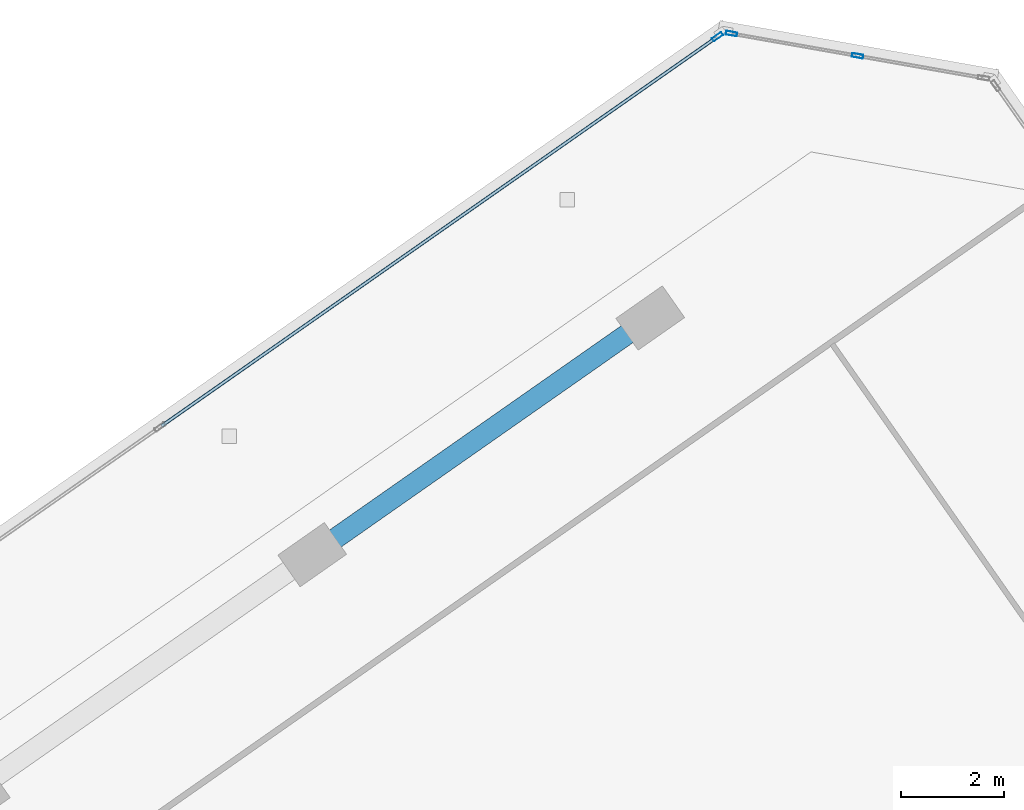
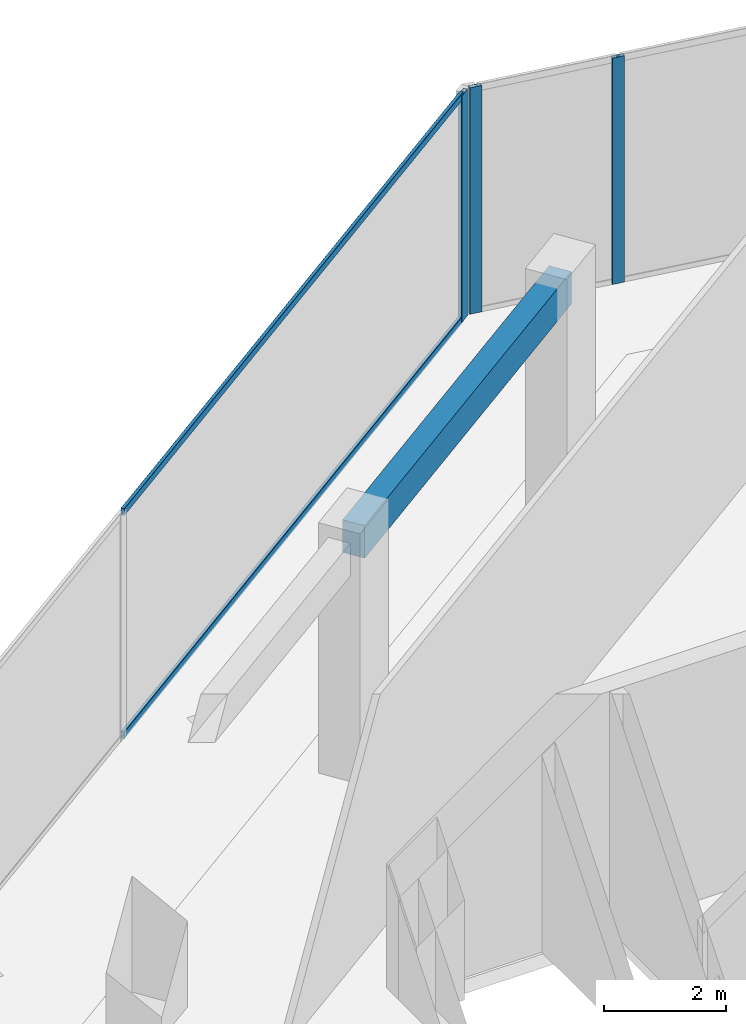
# One storey, part 8 of 16: 5 members, 1 beam, 2 elements without a shape of their own.
"""IFC4 building model written with IfcOpenShell, lengths in metres."""

import ifcopenshell
import ifcopenshell.guid

model = None  # the IFC model being written
_history = None  # IfcOwnerHistory: only IFC2X3 demands one
_inside = {}  # id of a spatial element -> (the spatial element, [elements in it])
_under = {}  # id of a project, library or spatial element -> (it, [spatial elements below it])
_declared = {}  # id of a project -> (the project, [libraries it declares])
_typed = {}  # id of a type object -> (the type object, [elements of that type])
_made_of = {}  # id of a material, layer set ... -> (it, [elements and type objects made of it])


def new_model(schema):
    """Start an empty IFC model of exactly this schema.

    Asked for "IFC4X3", IfcOpenShell would pick the latest addendum, in which some entities
    have other attributes; the version numbers below select the first issue.
    IFC2X3 requires an IfcOwnerHistory on every rooted entity: one is made here for all.
    """
    global model, _history
    if schema == "IFC4X3":
        model = ifcopenshell.file(schema_version=(4, 3, 0, 0))
    else:
        model = ifcopenshell.file(schema=schema)
    _inside.clear()
    _under.clear()
    _declared.clear()
    _typed.clear()
    _made_of.clear()
    _history = None
    if model.schema == "IFC2X3":
        org = make("IfcOrganization", Name="unknown")
        user = make(
            "IfcPersonAndOrganization",
            ThePerson=make("IfcPerson", FamilyName="unknown"),
            TheOrganization=org,
        )
        app = make(
            "IfcApplication",
            ApplicationDeveloper=org,
            Version="unknown",
            ApplicationFullName="unknown",
            ApplicationIdentifier="unknown",
        )
        _history = make(
            "IfcOwnerHistory",
            OwningUser=user,
            OwningApplication=app,
            ChangeAction="ADDED",
            CreationDate=0,
        )
    return model


def make(cls, **values):
    """One entity of the class cls with the attributes given. An attribute that is None is left unset."""
    return model.create_entity(
        cls, **{name: value for name, value in values.items() if value is not None}
    )


def rooted(cls, **values):
    """An entity with a GlobalId (a new one), such as an element, a storey or a relation."""
    return make(cls, GlobalId=ifcopenshell.guid.new(), OwnerHistory=_history, **values)


def si_unit(unit_type, name, prefix=None):
    """IfcSIUnit, for example si_unit("LENGTHUNIT", "METRE", prefix="MILLI")."""
    return make("IfcSIUnit", UnitType=unit_type, Prefix=prefix, Name=name)


def assignment(units):
    """IfcUnitAssignment: the units of a project."""
    return None if units is None else make("IfcUnitAssignment", Units=units)


def point(xyz):
    """IfcCartesianPoint."""
    return None if xyz is None else make("IfcCartesianPoint", Coordinates=xyz)


def direction(xyz):
    """IfcDirection."""
    return None if xyz is None else make("IfcDirection", DirectionRatios=xyz)


def frame(location, z_axis=None, x_axis=None):
    """IfcAxis2Placement3D, a coordinate frame: its origin and axes. An axis left out is left unset."""
    return make(
        "IfcAxis2Placement3D",
        Location=point(location),
        Axis=direction(z_axis),
        RefDirection=direction(x_axis),
    )


def frame_2d(location, x_axis=None):
    """IfcAxis2Placement2D, a coordinate frame in the plane: its origin and x axis."""
    return make(
        "IfcAxis2Placement2D", Location=point(location), RefDirection=direction(x_axis)
    )


def origin():
    """The frame at (0, 0, 0) with its axes left unset."""
    return frame((0.0, 0.0, 0.0))


def origin_2d():
    """The frame at (0, 0) in the plane with its x axis left unset."""
    return frame_2d((0.0, 0.0))


def place(relative_to, where):
    """IfcLocalPlacement: puts the frame where relative to a parent placement (None: the world)."""
    return make(
        "IfcLocalPlacement", PlacementRelTo=relative_to, RelativePlacement=where
    )


def context(
    kind, dimensions, precision=None, world=None, true_north=None, identifier=None
):
    """IfcGeometricRepresentationContext, for example the 3D "Model" context."""
    return make(
        "IfcGeometricRepresentationContext",
        ContextIdentifier=identifier,
        ContextType=kind,
        CoordinateSpaceDimension=dimensions,
        Precision=precision,
        WorldCoordinateSystem=world,
        TrueNorth=true_north,
    )


def subcontext(parent, identifier, kind, view, scale=None):
    """IfcGeometricRepresentationSubContext, for example "Body" below "Model"."""
    return make(
        "IfcGeometricRepresentationSubContext",
        ContextIdentifier=identifier,
        ContextType=kind,
        ParentContext=parent,
        TargetScale=scale,
        TargetView=view,
    )


def project(units=None, contexts=None):
    """IfcProject with its units and contexts."""
    return rooted(
        "IfcProject",
        Name="project",
        RepresentationContexts=contexts,
        UnitsInContext=assignment(units),
    )


def spatial(cls, under=None, at=None, **own):
    """A site, building, storey or space (cls), placed at a placement, below another one or the project."""
    s = rooted(cls, ObjectPlacement=at, **own)
    if under is not None:
        _under.setdefault(under.id(), (under, []))[1].append(s)
    return s


def profile(cls, at=None, kind="AREA", **sizes):
    """A parametric profile (cls). Its sizes go by their IFC names, for example OverallWidth=200.0."""
    return make(cls, ProfileType=kind, Position=at, **sizes)


def rectangle(**sizes):
    """IfcRectangleProfileDef."""
    return profile("IfcRectangleProfileDef", **sizes)


def hollow_rectangle(**sizes):
    """IfcRectangleHollowProfileDef."""
    return profile("IfcRectangleHollowProfileDef", **sizes)


def extrude(swept, where, along, depth):
    """IfcExtrudedAreaSolid: the profile swept, set in the frame where, extruded along a direction by depth."""
    return make(
        "IfcExtrudedAreaSolid",
        SweptArea=swept,
        Position=where,
        ExtrudedDirection=direction(along),
        Depth=depth,
    )


def shape(context_of_items, identifier, shape_type, items):
    """IfcShapeRepresentation: the items that make up one representation, for example the "Body"."""
    return make(
        "IfcShapeRepresentation",
        ContextOfItems=context_of_items,
        RepresentationIdentifier=identifier,
        RepresentationType=shape_type,
        Items=items,
    )


def source(mapping_origin, context_of_items, identifier, shape_type, items):
    """IfcRepresentationMap: a shape defined once, which mapped items show again and again."""
    return make(
        "IfcRepresentationMap",
        MappingOrigin=mapping_origin,
        MappedRepresentation=shape(context_of_items, identifier, shape_type, items),
    )


def transform(
    local_origin,
    x_axis=None,
    y_axis=None,
    z_axis=None,
    scale=None,
    scale2=None,
    scale3=None,
    uniform=True,
):
    """IfcCartesianTransformationOperator3D, or its non-uniform kind. x_axis, y_axis, z_axis: its Axis1, 2, 3."""
    if uniform:
        return make(
            "IfcCartesianTransformationOperator3D",
            Axis1=direction(x_axis),
            Axis2=direction(y_axis),
            LocalOrigin=point(local_origin),
            Scale=scale,
            Axis3=direction(z_axis),
        )
    return make(
        "IfcCartesianTransformationOperator3DnonUniform",
        Axis1=direction(x_axis),
        Axis2=direction(y_axis),
        LocalOrigin=point(local_origin),
        Scale=scale,
        Axis3=direction(z_axis),
        Scale2=scale2,
        Scale3=scale3,
    )


def mapped(mapping_source, mapping_target):
    """IfcMappedItem: shows the shape of a source again, moved by a transform."""
    return make(
        "IfcMappedItem", MappingSource=mapping_source, MappingTarget=mapping_target
    )


def material(Name=None, Category=None):
    """IfcMaterial."""
    return make("IfcMaterial", Name=Name, Category=Category)


def material_profile(
    of_material, cross_section, Name=None, Category=None, Priority=None
):
    """IfcMaterialProfile: a cross section and its material."""
    return make(
        "IfcMaterialProfile",
        Name=Name,
        Material=of_material,
        Profile=cross_section,
        Priority=Priority,
        Category=Category,
    )


def profile_set(profiles, Name=None, composite=None):
    """IfcMaterialProfileSet."""
    return make(
        "IfcMaterialProfileSet",
        Name=Name,
        MaterialProfiles=profiles,
        CompositeProfile=composite,
    )


def made_of(thing, what):
    """Note that an element or type object is made of a material, layer set ...; save() writes the relation."""
    if what is not None:
        _made_of.setdefault(what.id(), (what, []))[1].append(thing)
    return thing


def type_object(cls, material=None, **own):
    """A type object (cls), such as IfcWallType, which elements share."""
    return made_of(rooted(cls, **own), material)


def element(
    cls,
    number,
    at=None,
    inside=None,
    cuts=None,
    type_object=None,
    material=None,
    context=None,
    identifier="Body",
    shape_type=None,
    held_by="IfcProductDefinitionShape",
    body=None,
    shapes=None,
    **own,
):
    """One element of the class cls, such as IfcWall. Its Tag is "e" and its number.

    at: its placement. inside: the storey or other place that contains it. cuts: it is an
    opening in that element (IfcRelVoidsElement). A single representation is given by context,
    identifier, shape_type and body (its items); several are given by shapes. held_by: the class
    of the entity that holds the representations. save() writes the other relations.
    """
    e = rooted(cls, Tag="e%d" % number, ObjectPlacement=at, **own)
    if body is not None:
        shapes = [shape(context, identifier, shape_type, body)]
    if shapes is not None:
        e.Representation = make(held_by, Representations=shapes)
    if inside is not None:
        _inside.setdefault(inside.id(), (inside, []))[1].append(e)
    if cuts is not None:
        rooted(
            "IfcRelVoidsElement", RelatingBuildingElement=cuts, RelatedOpeningElement=e
        )
    if type_object is not None:
        _typed.setdefault(type_object.id(), (type_object, []))[1].append(e)
    return made_of(e, material)


def aggregate(whole, parts):
    """IfcRelAggregates: a whole, such as a stair, and the parts it consists of."""
    return rooted("IfcRelAggregates", RelatingObject=whole, RelatedObjects=parts)


def save(model, path):
    """Write the relations noted so far, then the file.

    IfcRelAggregates (storeys below a building ...), IfcRelContainedInSpatialStructure (elements
    in a storey), IfcRelDefinesByType, IfcRelAssociatesMaterial and IfcRelDeclares: one each for
    every whole, place, type object, material and project.
    """
    for whole, parts in _under.values():
        aggregate(whole, parts)
    for where, things in _inside.values():
        rooted(
            "IfcRelContainedInSpatialStructure",
            RelatedElements=things,
            RelatingStructure=where,
        )
    for kind, things in _typed.values():
        rooted("IfcRelDefinesByType", RelatedObjects=things, RelatingType=kind)
    for what, things in _made_of.values():
        rooted("IfcRelAssociatesMaterial", RelatedObjects=things, RelatingMaterial=what)
    for by, libraries in _declared.values():
        rooted("IfcRelDeclares", RelatingContext=by, RelatedDefinitions=libraries)
    model.write(path)


model = new_model("IFC4")

# Units and contexts
model_context = context("Model", 3, precision=1e-05, world=origin(), true_north=direction((0.0, 1.0)))
body_context = subcontext(model_context, "Body", "Model", "MODEL_VIEW")
ifc_project = project(units=[si_unit("LENGTHUNIT", "METRE"), si_unit("AREAUNIT", "SQUARE_METRE"), si_unit("VOLUMEUNIT", "CUBIC_METRE"), si_unit("PLANEANGLEUNIT", "RADIAN"), si_unit("MASSUNIT", "GRAM", prefix="KILO")], contexts=[model_context])

# Site, building, storey
site_placement = place(None, origin())
site = spatial("IfcSite", under=ifc_project, at=site_placement, CompositionType="ELEMENT")
building_placement = place(site_placement, origin())
building = spatial("IfcBuilding", under=site, at=building_placement, Name="Torre Montelarca", CompositionType="ELEMENT")
storey_placement = place(building_placement, frame((0.0, 0.0, 293.800048828125)))
storey = spatial("IfcBuildingStorey", under=building, at=storey_placement, Name="L66", CompositionType="ELEMENT", Elevation=293.800048828125)

# Beam
ifc_material_1 = material(Name="Concrete C40/50", Category="concrete")
ifc_material_profile_1 = material_profile(ifc_material_1, rectangle(XDim=0.39990234375, YDim=0.64990234375, at=origin_2d()), Name="RCB400X650", Category="concrete")
ifc_profile_set_1 = profile_set([ifc_material_profile_1], Name="Concrete C40/50")
beam_type = type_object("IfcBeamType", Name="BM-SP-RC650-EXT", PredefinedType="SPANDREL", material=ifc_profile_set_1)
shared_shape_1 = source(origin(), body_context, "Body", "SweptSolid", [
    extrude(rectangle(XDim=0.39990234375, YDim=0.64990234375, at=origin_2d()), origin(), (0.0, 0.0, 1.0), 8.0),
])
beam_placement = place(storey_placement, frame((11.835205078125, 45.802734375, 4.43505859375), z_axis=(0.819151624752, 0.573577035512, 0.0), x_axis=(-0.573577035512, 0.819151624752, 0.0)))
element("IfcBeam", 1, at=beam_placement, inside=storey, type_object=beam_type, Name="L66 Grid Girder Y 32.0-40.0 at X=4.7", PredefinedType="SPANDREL", context=body_context, shape_type="MappedRepresentation", body=[
    mapped(shared_shape_1, transform((0.0, 0.0, 0.0), scale=1.0)),
])

# Curtain wall, members
ifc_material_2 = material(Name="Insulated low-E laminated glass", Category="glass")
curtain_wall_type = type_object("IfcCurtainWallType", Name="CW-SYS-Z4", PredefinedType="USERDEFINED", material=ifc_material_2)
curtain_wall_1_placement = place(storey_placement, origin())
curtain_wall_1 = element("IfcCurtainWall", 2, at=curtain_wall_1_placement, inside=storey, type_object=curtain_wall_type, Name="L66 Curtain Wall Run CW-T3-L66-E09-B1", ObjectType="UNITISED GLAZING", PredefinedType="USERDEFINED")
ifc_material_3 = material(Name="Anodised aluminium AA 6063-T6", Category="aluminium")
ifc_material_profile_2 = material_profile(ifc_material_3, hollow_rectangle(XDim=0.074951171875, YDim=0.219970703125, WallThickness=0.0048828125, InnerFilletRadius=0.0048828125, OuterFilletRadius=0.010009765625, at=origin_2d()), Name="ALU75X220X5", Category="aluminium")
ifc_profile_set_2 = profile_set([ifc_material_profile_2], Name="Anodised aluminium AA 6063-T6")
member_type_1 = type_object("IfcMemberType", Name="CWM-ALU220", PredefinedType="MULLION", material=ifc_profile_set_2)
shared_shape_2 = source(origin(), body_context, "Body", "SweptSolid", [
    extrude(hollow_rectangle(XDim=0.074951171875, YDim=0.219970703125, WallThickness=0.0048828125, InnerFilletRadius=0.0048828125, OuterFilletRadius=0.010009765625, at=origin_2d()), origin(), (0.0, 0.0, 1.0), 4.52001953125),
])
member_1_placement = place(storey_placement, frame((22.408203125, 55.47412109375, 0.0), z_axis=(0.0, 0.0, 1.0), x_axis=(-0.173634856638, -0.984810101776, 0.0)))
member_1 = element("IfcMember", 3, at=member_1_placement, type_object=member_type_1, Name="CW mullion 2", PredefinedType="MULLION", context=body_context, shape_type="MappedRepresentation", body=[
    mapped(shared_shape_2, transform((0.0, 0.0, 0.0), scale=1.0)),
])
member_2_placement = place(storey_placement, frame((19.962158203125, 55.9052734375, 0.0), z_axis=(0.0, 0.0, 1.0), x_axis=(-0.173634856638, -0.984810101776, 0.0)))
member_2 = element("IfcMember", 4, at=member_2_placement, type_object=member_type_1, Name="CW mullion 3", PredefinedType="MULLION", context=body_context, shape_type="MappedRepresentation", body=[
    mapped(shared_shape_2, transform((0.0, 0.0, 0.0), scale=1.0)),
])
aggregate(curtain_wall_1, [member_1, member_2])

curtain_wall_2_placement = place(storey_placement, origin())
curtain_wall_2 = element("IfcCurtainWall", 5, at=curtain_wall_2_placement, inside=storey, type_object=curtain_wall_type, Name="L66 Curtain Wall Run CW-T3-L66-E10-B1", ObjectType="UNITISED GLAZING", PredefinedType="USERDEFINED")
member_3_placement = place(storey_placement, frame((19.692626953125, 55.845703125, 0.0), z_axis=(0.0, 0.0, 1.0), x_axis=(0.57357162512, -0.819155413128, 0.0)))
member_3 = element("IfcMember", 6, at=member_3_placement, type_object=member_type_1, Name="CW mullion 1", PredefinedType="MULLION", context=body_context, shape_type="MappedRepresentation", body=[
    mapped(shared_shape_2, transform((0.0, 0.0, 0.0), scale=1.0)),
])
ifc_material_profile_3 = material_profile(ifc_material_3, hollow_rectangle(XDim=0.06494140625, YDim=0.139892578125, WallThickness=0.00390625, InnerFilletRadius=0.00390625, OuterFilletRadius=0.008056640625, at=origin_2d()), Name="ALU65X140X4", Category="aluminium")
ifc_profile_set_3 = profile_set([ifc_material_profile_3], Name="Anodised aluminium AA 6063-T6")
member_type_2 = type_object("IfcMemberType", Name="CWT-ALU140", PredefinedType="USERDEFINED", material=ifc_profile_set_3)
shared_shape_3 = source(origin(), body_context, "Body", "SweptSolid", [
    extrude(hollow_rectangle(XDim=0.06494140625, YDim=0.139892578125, WallThickness=0.00390625, InnerFilletRadius=0.00390625, OuterFilletRadius=0.008056640625, at=origin_2d()), origin(), (0.0, 0.0, 1.0), 13.12158203125),
])
member_4_placement = place(storey_placement, frame((19.661865234375, 55.823974609375, 0.032470703125), z_axis=(-0.819161112031, -0.573563486056, 0.0), x_axis=(0.573563486056, -0.819161112031, 0.0)))
member_4 = element("IfcMember", 7, at=member_4_placement, type_object=member_type_2, Name="CW transom 1.1", ObjectType="TRANSOM", PredefinedType="USERDEFINED", context=body_context, shape_type="MappedRepresentation", body=[
    mapped(shared_shape_3, transform((0.0, 0.0, 0.0), scale=1.0)),
])
member_5_placement = place(storey_placement, frame((19.661865234375, 55.823974609375, 4.487548828125), z_axis=(-0.819161112031, -0.573563486056, 0.0), x_axis=(0.573563486056, -0.819161112031, 0.0)))
member_5 = element("IfcMember", 8, at=member_5_placement, type_object=member_type_2, Name="CW transom 1.2", ObjectType="TRANSOM", PredefinedType="USERDEFINED", context=body_context, shape_type="MappedRepresentation", body=[
    mapped(shared_shape_3, transform((0.0, 0.0, 0.0), scale=1.0)),
])
aggregate(curtain_wall_2, [member_3, member_4, member_5])

save(model, "model.ifc")
